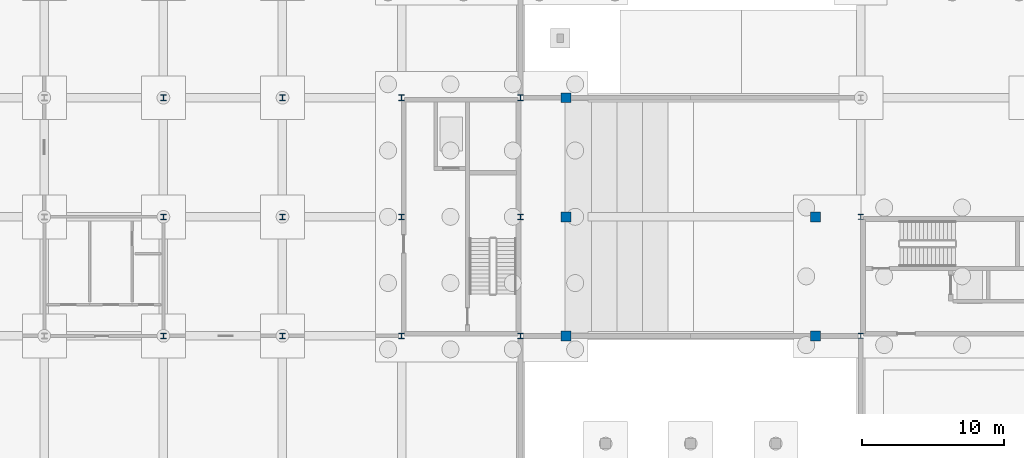
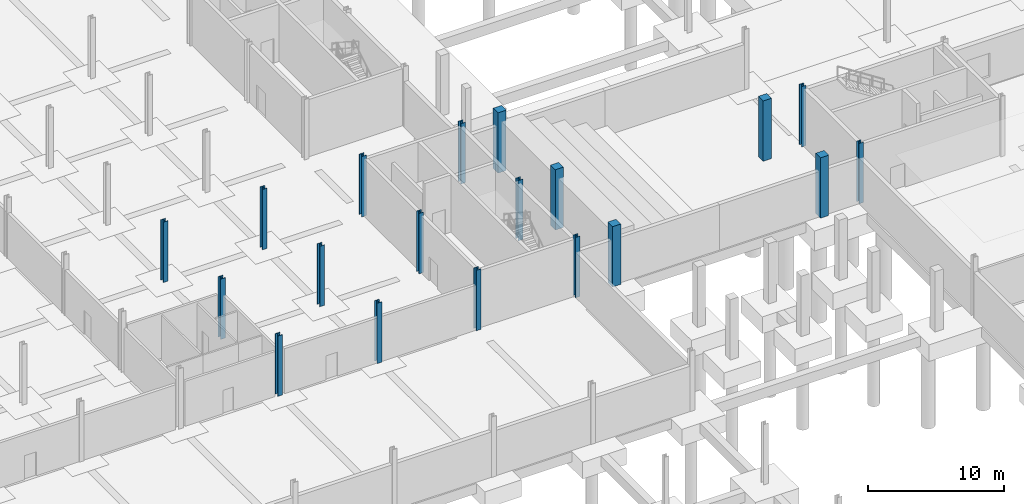
# One storey, part 10 of 36: 19 columns.
"""IFC4 building model written with IfcOpenShell, lengths in metres."""

from ifc_helpers import new_model, si_unit, direction, frame, origin, origin_2d, place, context, subcontext, project, spatial, rectangle, i_section, extrude, material, material_profile, profile_set, type_object, element, save


model = new_model("IFC4")

# Units and contexts
model_context = context("Model", 3, precision=1e-05, world=origin(), true_north=direction((0.0, 1.0)))
body_context = subcontext(model_context, "Body", "Model", "MODEL_VIEW")
ifc_project = project(units=[si_unit("LENGTHUNIT", "METRE"), si_unit("AREAUNIT", "SQUARE_METRE"), si_unit("VOLUMEUNIT", "CUBIC_METRE"), si_unit("PLANEANGLEUNIT", "RADIAN"), si_unit("MASSUNIT", "GRAM", prefix="KILO"), si_unit("THERMODYNAMICTEMPERATUREUNIT", "KELVIN"), si_unit("POWERUNIT", "WATT")], contexts=[model_context])

# Site, building, storey
site_placement = place(None, origin())
site = spatial("IfcSite", under=ifc_project, at=site_placement, CompositionType="ELEMENT")
building_placement = place(site_placement, origin())
building = spatial("IfcBuilding", under=site, at=building_placement, Name="Tembeka Court Mobility Hub", CompositionType="ELEMENT")
storey_placement = place(building_placement, frame((0.0, 0.0, -5.39990234375)))
storey = spatial("IfcBuildingStorey", under=building, at=storey_placement, Name="B1", CompositionType="ELEMENT", Elevation=-5.39990234375)

# Columns
ifc_material_1 = material(Name="Steel S355", Category="steel")
ifc_material_profile_1 = material_profile(ifc_material_1, i_section(OverallWidth=0.39892578125, OverallDepth=0.39404296875, WebThickness=0.022705078125, FlangeThickness=0.03662109375, FilletRadius=0.01513671875, at=origin_2d()), Name="UKC 356x406x287")
ifc_profile_set_1 = profile_set([ifc_material_profile_1], Name="Steel S355")
column_type_1 = type_object("IfcColumnType", Name="COL-C01", PredefinedType="COLUMN", material=ifc_profile_set_1)
for number, where, z_axis, x_axis, name in (
    (1, (67.199951171875, 38.39990234375, 0.0), (0.0, 0.0, 1.0), (1.0, 0.0, 0.0), "Column C01 (B1-095)"),
    (2, (67.199951171875, 46.800048828125, 0.0), (0.0, 0.0, 1.0), (1.0, 0.0, 0.0), "Column C01 (B1-096)"),
    (3, (67.199951171875, 55.199951171875, 0.0), (0.0, 0.0, 1.0), (1.0, 0.0, 0.0), "Column C01 (B1-097)"),
    (4, (75.60009765625, 38.39990234375, 0.0), (0.0, 0.0, 1.0), (1.0, 0.0, 0.0), "Column C01 (B1-105)"),
    (5, (75.60009765625, 46.800048828125, 0.0), (0.0, 0.0, 1.0), (1.0, 0.0, 0.0), "Column C01 (B1-106)"),
    (6, (75.60009765625, 55.199951171875, 0.0), (0.0, 0.0, 1.0), (1.0, 0.0, 0.0), "Column C01 (B1-107)"),
    (7, (84.0, 38.39990234375, 0.0), (0.0, 0.0, 1.0), (1.0, 0.0, 0.0), "Column C01 (B1-116)"),
    (8, (84.0, 46.800048828125, 0.0), (0.0, 0.0, 1.0), (1.0, 0.0, 0.0), "Column C01 (B1-117)"),
    (9, (84.0, 55.199951171875, 0.0), (0.0, 0.0, 1.0), (1.0, 0.0, 0.0), "Column C01 (B1-118)"),
    (10, (92.39990234375, 38.39990234375, 0.0), (0.0, 0.0, 1.0), (1.0, 0.0, 0.0), "Column C01 (B1-128)"),
    (11, (92.39990234375, 46.800048828125, 0.0), (0.0, 0.0, 1.0), (1.0, 0.0, 0.0), "Column C01 (B1-129)"),
    (12, (92.39990234375, 55.199951171875, 0.0), (0.0, 0.0, 1.0), (1.0, 0.0, 0.0), "Column C01 (B1-130)"),
):
    element("IfcColumn", number, at=place(storey_placement, frame(where, z_axis=z_axis, x_axis=x_axis)), inside=storey, type_object=column_type_1, Name=name, PredefinedType="COLUMN", context=body_context, shape_type="SweptSolid", body=[
        extrude(i_section(OverallWidth=0.39892578125, OverallDepth=0.39404296875, WebThickness=0.022705078125, FlangeThickness=0.03662109375, FilletRadius=0.01513671875, at=origin_2d()), origin(), (0.0, 0.0, 1.0), 5.39990234375),
    ])
ifc_material_profile_2 = material_profile(ifc_material_1, i_section(OverallWidth=0.373046875, OverallDepth=0.367919921875, WebThickness=0.014404296875, FlangeThickness=0.023681640625, FilletRadius=0.01513671875, at=origin_2d()), Name="UKC 356x368x177")
ifc_profile_set_2 = profile_set([ifc_material_profile_2], Name="Steel S355")
column_type_2 = type_object("IfcColumnType", Name="COL-C03", PredefinedType="COLUMN", material=ifc_profile_set_2)
for number, where, z_axis, x_axis, name in (
    (13, (116.39990234375, 38.39990234375, 0.0), (0.0, 0.0, 1.0), (1.0, 0.0, 0.0), "Column C03 (B1-159)"),
    (14, (116.39990234375, 46.800048828125, 0.0), (0.0, 0.0, 1.0), (1.0, 0.0, 0.0), "Column C03 (B1-160)"),
):
    element("IfcColumn", number, at=place(storey_placement, frame(where, z_axis=z_axis, x_axis=x_axis)), inside=storey, type_object=column_type_2, Name=name, PredefinedType="COLUMN", context=body_context, shape_type="SweptSolid", body=[
        extrude(i_section(OverallWidth=0.373046875, OverallDepth=0.367919921875, WebThickness=0.014404296875, FlangeThickness=0.023681640625, FilletRadius=0.01513671875, at=origin_2d()), origin(), (0.0, 0.0, 1.0), 5.39990234375),
    ])
ifc_material_2 = material(Name="Concrete C40/50", Category="concrete")
ifc_material_profile_3 = material_profile(ifc_material_2, rectangle(XDim=0.699951171875, YDim=0.699951171875, at=origin_2d()), Name="RC-COL 700x700")
ifc_profile_set_3 = profile_set([ifc_material_profile_3], Name="Concrete C40/50")
column_type_3 = type_object("IfcColumnType", Name="COL-RC01", PredefinedType="COLUMN", material=ifc_profile_set_3)
for number, where, z_axis, x_axis, name in (
    (15, (95.60009765625, 38.39990234375, 0.0), (0.0, 0.0, 1.0), (1.0, 0.0, 0.0), "Column RC01 (B1-137)"),
    (16, (95.60009765625, 46.800048828125, 0.0), (0.0, 0.0, 1.0), (1.0, 0.0, 0.0), "Column RC01 (B1-138)"),
    (17, (95.60009765625, 55.199951171875, 0.0), (0.0, 0.0, 1.0), (1.0, 0.0, 0.0), "Column RC01 (B1-139)"),
    (18, (113.199951171875, 38.39990234375, 0.0), (0.0, 0.0, 1.0), (1.0, 0.0, 0.0), "Column RC01 (B1-154)"),
    (19, (113.199951171875, 46.800048828125, 0.0), (0.0, 0.0, 1.0), (1.0, 0.0, 0.0), "Column RC01 (B1-155)"),
):
    element("IfcColumn", number, at=place(storey_placement, frame(where, z_axis=z_axis, x_axis=x_axis)), inside=storey, type_object=column_type_3, Name=name, PredefinedType="COLUMN", context=body_context, shape_type="SweptSolid", body=[
        extrude(rectangle(XDim=0.699951171875, YDim=0.699951171875, at=origin_2d()), origin(), (0.0, 0.0, 1.0), 5.39990234375),
    ])

save(model, "model.ifc")
